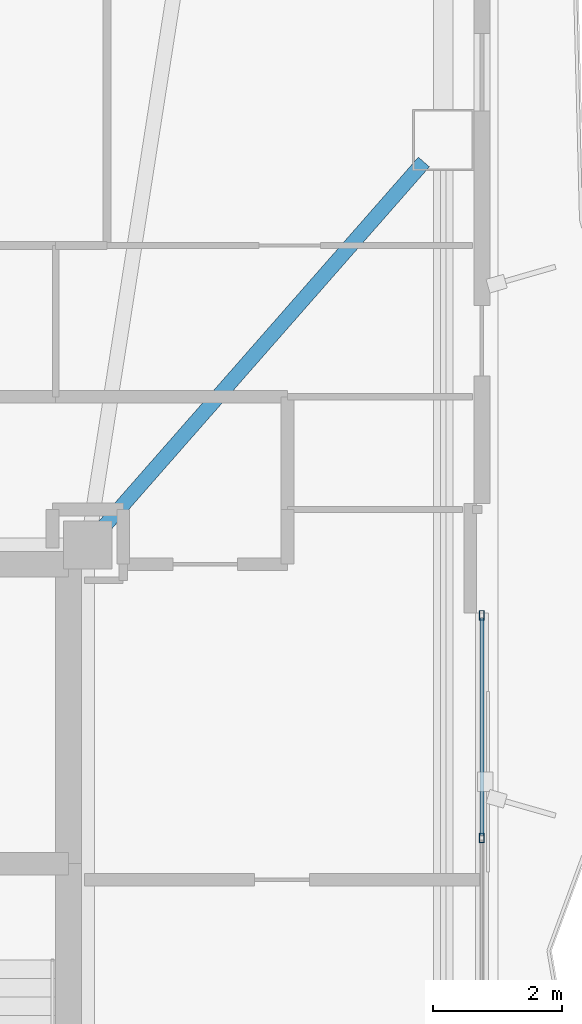
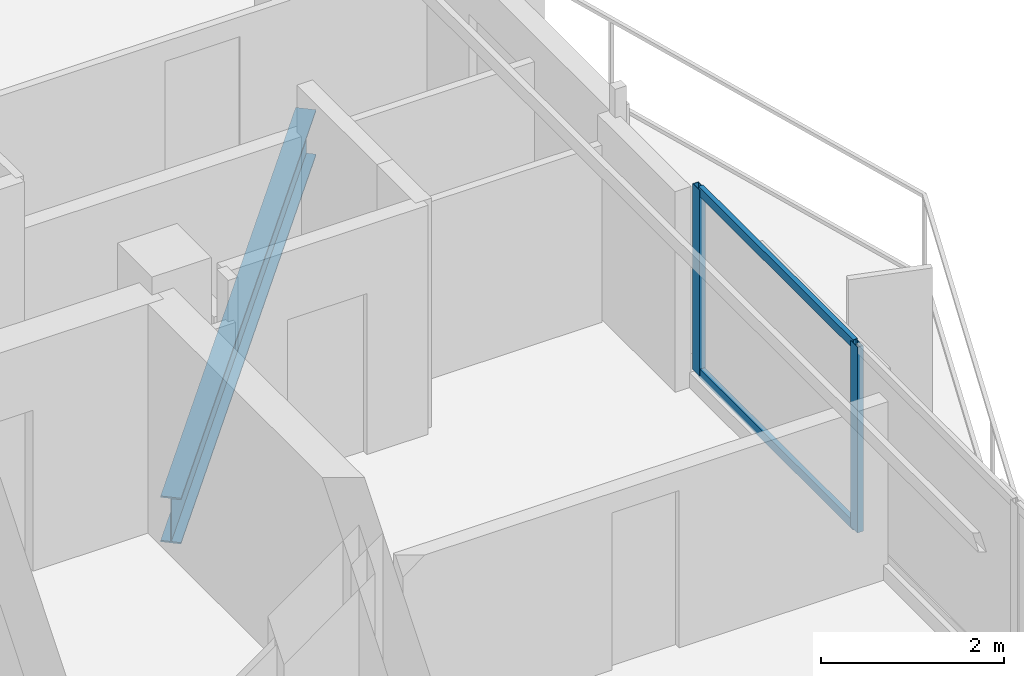
# One storey, part 9 of 19: 4 members, 1 beam, 1 element without a shape of its own.
"""IFC4 building model written with IfcOpenShell, lengths in metres."""

from ifc_helpers import new_model, si_unit, direction, frame, origin, origin_2d, place, context, subcontext, project, spatial, hollow_rectangle, i_section, extrude, material, layer, layer_set, material_profile, profile_set, type_object, element, aggregate, save


model = new_model("IFC4")

# Units and contexts
model_context = context("Model", 3, precision=1e-05, world=origin(), true_north=direction((0.0, 1.0)))
body_context = subcontext(model_context, "Body", "Model", "MODEL_VIEW")
ifc_project = project(units=[si_unit("LENGTHUNIT", "METRE"), si_unit("AREAUNIT", "SQUARE_METRE"), si_unit("VOLUMEUNIT", "CUBIC_METRE"), si_unit("PLANEANGLEUNIT", "RADIAN"), si_unit("MASSUNIT", "GRAM", prefix="KILO")], contexts=[model_context])

# Site, building, storey
site_placement = place(None, origin())
site = spatial("IfcSite", under=ifc_project, at=site_placement, CompositionType="ELEMENT")
building_placement = place(site_placement, origin())
building = spatial("IfcBuilding", under=site, at=building_placement, Name="Mersakhor Tower and Convention Hall", CompositionType="ELEMENT")
storey_placement = place(building_placement, frame((0.0, 0.0, 124.5)))
storey = spatial("IfcBuildingStorey", under=building, at=storey_placement, Name="L34", CompositionType="ELEMENT", Elevation=124.5)

# Beam
ifc_material_1 = material(Name="Steel S355", Category="steel")
ifc_material_profile_1 = material_profile(ifc_material_1, i_section(OverallWidth=0.22900390625, OverallDepth=0.6123046875, WebThickness=0.011962890625, FlangeThickness=0.01953125, at=origin_2d()), Name="UB 610x229x125")
ifc_profile_set_1 = profile_set([ifc_material_profile_1], Name="Steel S355")
beam_type = type_object("IfcBeamType", Name="BM-PR-610", PredefinedType="BEAM", material=ifc_profile_set_1)
beam_placement = place(storey_placement, frame((36.334228515625, 33.31689453125, -0.546142578125), z_axis=(0.65963831109, 0.751583194691, 0.0), x_axis=(-0.751583194691, 0.65963831109, 0.0)))
element("IfcBeam", 1, at=beam_placement, inside=storey, type_object=beam_type, Name="L34 Primary Floor Girder FG-3", PredefinedType="BEAM", context=body_context, shape_type="SweptSolid", body=[
    extrude(i_section(OverallWidth=0.22900390625, OverallDepth=0.6123046875, WebThickness=0.011962890625, FlangeThickness=0.01953125, at=origin_2d()), origin(), (0.0, 0.0, 1.0), 7.556884765625),
])

# Curtain wall, members
ifc_material_2 = material(Name="Dark solar low-E aluminium curtain wall", Category="aluminium")
ifc_layer = layer(ifc_material_2, 0.169921875)
ifc_layer_set = layer_set([ifc_layer], Name="Dark solar low-E aluminium curtain wall")
curtain_wall_type = type_object("IfcCurtainWallType", Name="CW-SYS-02", PredefinedType="USERDEFINED", material=ifc_layer_set)
curtain_wall_placement = place(storey_placement, origin())
curtain_wall = element("IfcCurtainWall", 2, at=curtain_wall_placement, inside=storey, type_object=curtain_wall_type, Name="L34 Dark-Glass Curtain Wall F2-B2", ObjectType="CURTAIN WALL", PredefinedType="USERDEFINED")
ifc_material_3 = material(Name="Anodised aluminium EN AW-6063 T6", Category="aluminium")
ifc_material_profile_2 = material_profile(ifc_material_3, hollow_rectangle(XDim=0.074951171875, YDim=0.14990234375, WallThickness=0.00634765625, at=origin_2d()), Name="RHS 150x75x6.3")
ifc_profile_set_2 = profile_set([ifc_material_profile_2], Name="Anodised aluminium EN AW-6063 T6")
member_type_1 = type_object("IfcMemberType", Name="CWM-150x75", PredefinedType="MULLION", material=ifc_profile_set_2)
member_1_placement = place(storey_placement, frame((42.21923828125, 31.95556640625, 0.199951171875), z_axis=(0.0, 0.0, 1.0), x_axis=(1.0, 0.0, 0.0)))
member_1 = element("IfcMember", 3, at=member_1_placement, type_object=member_type_1, Name="CW-02 mullion 1", PredefinedType="MULLION", context=body_context, shape_type="SweptSolid", body=[
    extrude(hollow_rectangle(XDim=0.074951171875, YDim=0.14990234375, WallThickness=0.00634765625, at=origin_2d()), origin(), (0.0, 0.0, 1.0), 2.47998046875),
])
member_2_placement = place(storey_placement, frame((42.21923828125, 28.49755859375, 0.199951171875), z_axis=(0.0, 0.0, 1.0), x_axis=(1.0, 0.0, 0.0)))
member_2 = element("IfcMember", 4, at=member_2_placement, type_object=member_type_1, Name="CW-02 mullion 2", PredefinedType="MULLION", context=body_context, shape_type="SweptSolid", body=[
    extrude(hollow_rectangle(XDim=0.074951171875, YDim=0.14990234375, WallThickness=0.00634765625, at=origin_2d()), origin(), (0.0, 0.0, 1.0), 2.47998046875),
])
ifc_material_4 = material(Name="Anodised aluminium EN AW-6063 T6", Category="aluminium")
ifc_material_profile_3 = material_profile(ifc_material_4, hollow_rectangle(XDim=0.06005859375, YDim=0.1201171875, WallThickness=0.0048828125, at=origin_2d()), Name="RHS 120x60x5")
ifc_profile_set_3 = profile_set([ifc_material_profile_3], Name="Anodised aluminium EN AW-6063 T6")
member_type_2 = type_object("IfcMemberType", Name="CWT-120x60", PredefinedType="USERDEFINED", material=ifc_profile_set_3)
member_3_placement = place(storey_placement, frame((42.21923828125, 31.91796875, 0.22998046875), z_axis=(0.0, -1.0, 0.0), x_axis=(1.0, 0.0, 0.0)))
member_3 = element("IfcMember", 5, at=member_3_placement, type_object=member_type_2, Name="CW-02 transom 1.1", ObjectType="TRANSOM", PredefinedType="USERDEFINED", context=body_context, shape_type="SweptSolid", body=[
    extrude(hollow_rectangle(XDim=0.06005859375, YDim=0.1201171875, WallThickness=0.0048828125, at=origin_2d()), origin(), (0.0, 0.0, 1.0), 3.3828125),
])
member_4_placement = place(storey_placement, frame((42.21923828125, 31.91796875, 2.64990234375), z_axis=(0.0, -1.0, 0.0), x_axis=(1.0, 0.0, 0.0)))
member_4 = element("IfcMember", 6, at=member_4_placement, type_object=member_type_2, Name="CW-02 transom 1.2", ObjectType="TRANSOM", PredefinedType="USERDEFINED", context=body_context, shape_type="SweptSolid", body=[
    extrude(hollow_rectangle(XDim=0.06005859375, YDim=0.1201171875, WallThickness=0.0048828125, at=origin_2d()), origin(), (0.0, 0.0, 1.0), 3.3828125),
])
aggregate(curtain_wall, [member_1, member_2, member_3, member_4])

save(model, "model.ifc")
